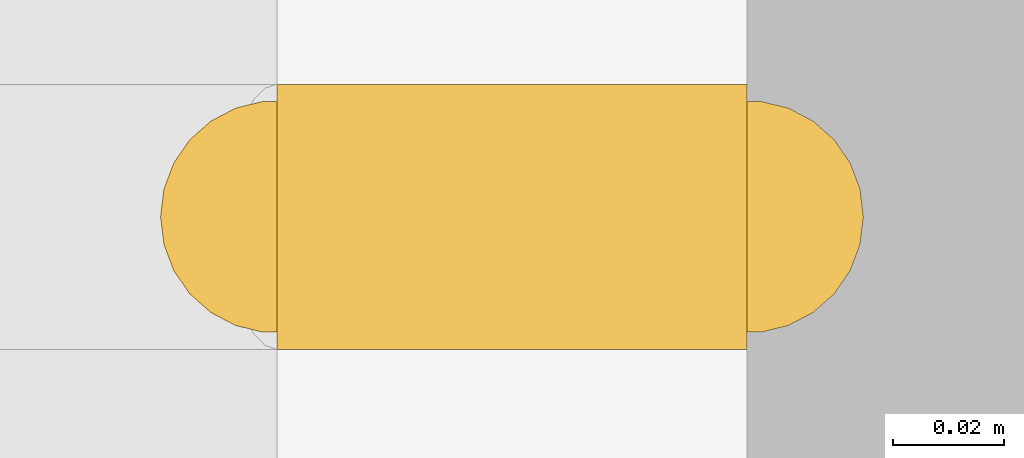
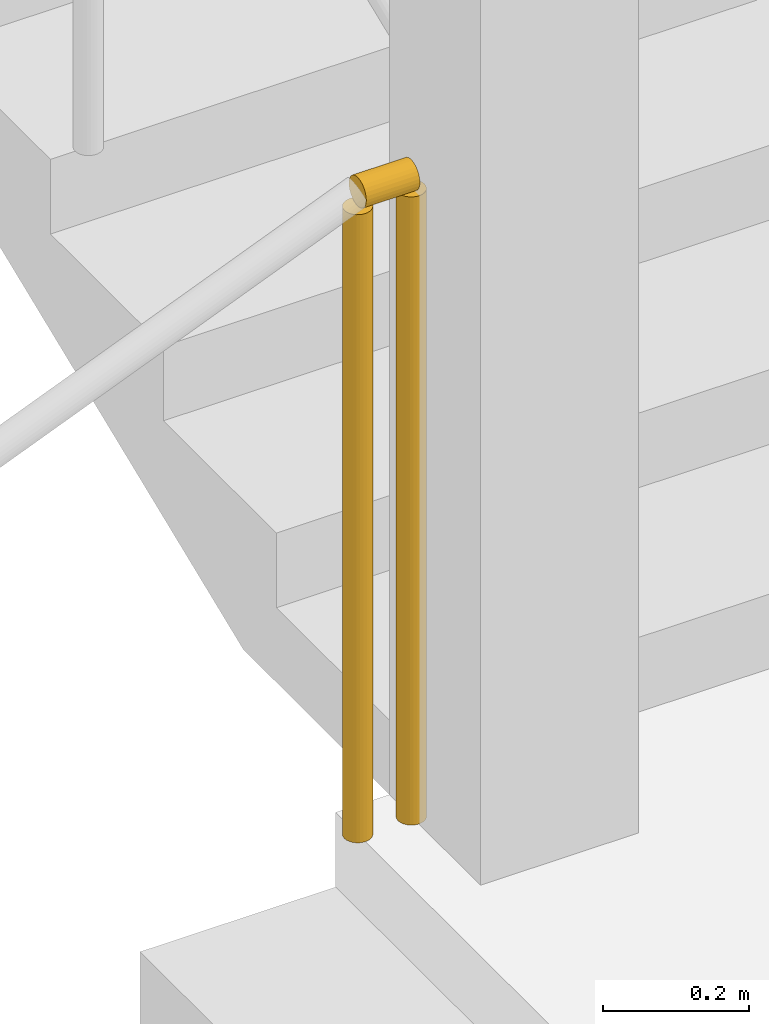
# One storey, part 31 of 37: 1 railing.
"""IFC4 building model written with IfcOpenShell, lengths in metres."""

from ifc_helpers import new_model, si_unit, direction, frame, origin, origin_2d, place, context, subcontext, project, spatial, circle, extrude, material, type_object, element, save


model = new_model("IFC4")

# Units and contexts
model_context = context("Model", 3, precision=1e-05, world=origin(), true_north=direction((0.0, 1.0)))
body_context = subcontext(model_context, "Body", "Model", "MODEL_VIEW")
ifc_project = project(units=[si_unit("LENGTHUNIT", "METRE"), si_unit("AREAUNIT", "SQUARE_METRE"), si_unit("VOLUMEUNIT", "CUBIC_METRE"), si_unit("PLANEANGLEUNIT", "RADIAN"), si_unit("MASSUNIT", "GRAM", prefix="KILO")], contexts=[model_context])

# Site, building, storey
site_placement = place(None, origin())
site = spatial("IfcSite", under=ifc_project, at=site_placement, CompositionType="ELEMENT")
building_placement = place(site_placement, origin())
building = spatial("IfcBuilding", under=site, at=building_placement, Name="Rekha Terrace Tower", CompositionType="ELEMENT")
storey_placement = place(building_placement, frame((0.0, 0.0, 228.949951171875)))
storey = spatial("IfcBuildingStorey", under=building, at=storey_placement, Name="L58", CompositionType="ELEMENT", Elevation=228.949951171875)

# Railing
ifc_material = material(Name="Stainless steel balustrade", Category="steel")
railing_type = type_object("IfcRailingType", Name="GR1 1100 stair guard", PredefinedType="GUARDRAIL", material=ifc_material)
railing_placement = place(storey_placement, frame((29.989990234375, 41.264892578125, 1.25)))
element("IfcRailing", 1, at=railing_placement, inside=storey, type_object=railing_type, Name="Guard ST4 L58 landing 1", PredefinedType="GUARDRAIL", context=body_context, shape_type="SweptSolid", body=[
    extrude(circle(Radius=0.02392578125, at=origin_2d()), frame((0.0, 0.0, 1.076171875), z_axis=(1.0, 0.0, 0.0), x_axis=(0.0, 1.0, 0.0)), (0.0, 0.0, 1.0), 0.0849609375),
    extrude(circle(Radius=0.02099609375, at=origin_2d()), origin(), (0.0, 0.0, 1.0), 1.052001953125),
    extrude(circle(Radius=0.02099609375, at=origin_2d()), frame((0.0849609375, 0.0, 0.0)), (0.0, 0.0, 1.0), 1.052001953125),
])

save(model, "model.ifc")
